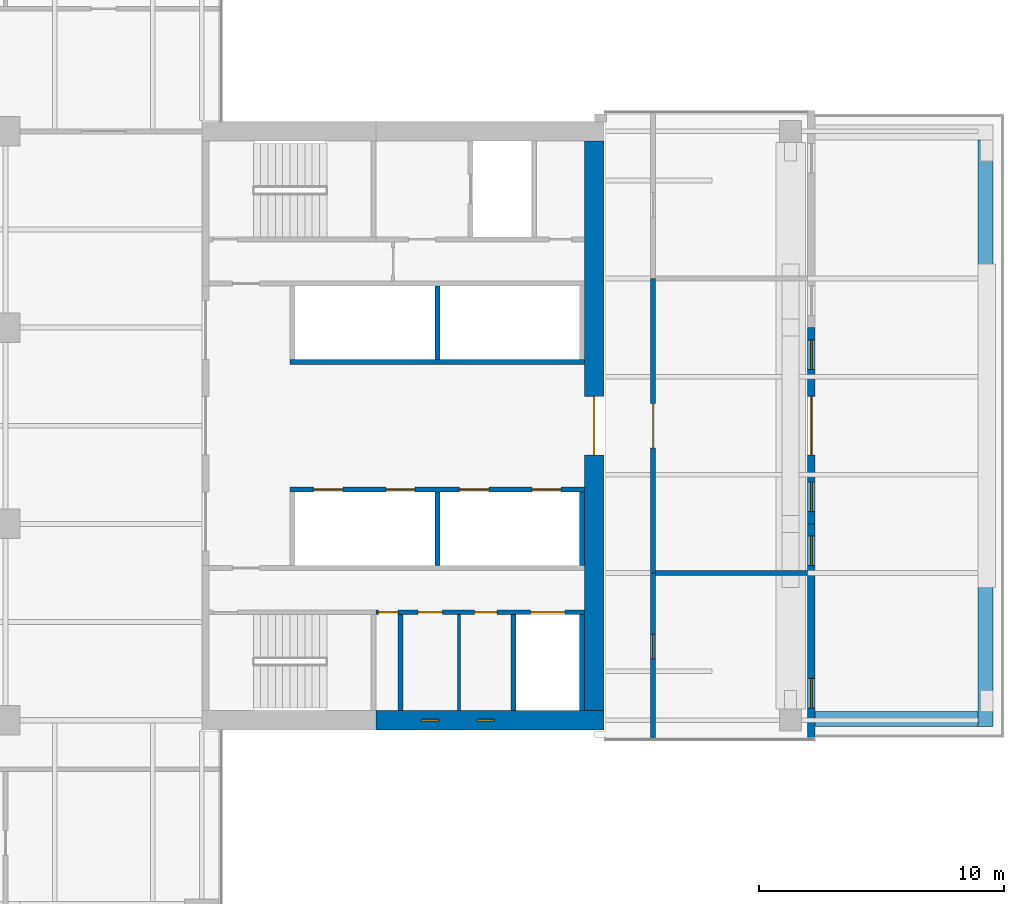
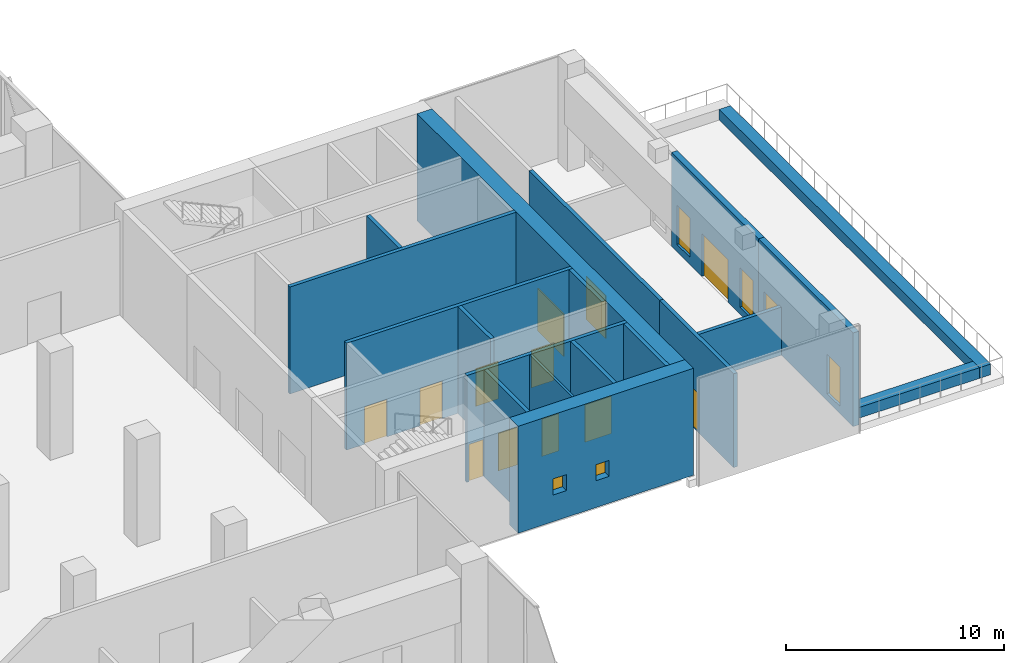
# One storey, part 17 of 23: 19 walls, 12 doors, 6 windows, 18 openings.
"""IFC4 building model written with IfcOpenShell, lengths in metres."""

from ifc_helpers import new_model, si_unit, direction, frame, frame_2d, origin, place, context, subcontext, project, spatial, rectangle, extrude, material, layer, layer_set, constituent, constituent_set, type_object, element, fill, save


model = new_model("IFC4")

# Units and contexts
model_context = context("Model", 3, precision=1e-05, world=origin(), true_north=direction((0.0, 1.0)))
body_context = subcontext(model_context, "Body", "Model", "MODEL_VIEW")
ifc_project = project(units=[si_unit("LENGTHUNIT", "METRE"), si_unit("AREAUNIT", "SQUARE_METRE"), si_unit("VOLUMEUNIT", "CUBIC_METRE"), si_unit("PLANEANGLEUNIT", "RADIAN"), si_unit("MASSUNIT", "GRAM", prefix="KILO")], contexts=[model_context])

# Site, building, storey
site_placement = place(None, origin())
site = spatial("IfcSite", under=ifc_project, at=site_placement, CompositionType="ELEMENT")
building_placement = place(site_placement, origin())
building = spatial("IfcBuilding", under=site, at=building_placement, Name="Crosswind Convention Tower", CompositionType="ELEMENT")
storey_placement = place(building_placement, frame((0.0, 0.0, 47.5)))
storey = spatial("IfcBuildingStorey", under=building, at=storey_placement, Name="L06", CompositionType="ELEMENT", Elevation=47.5)

# Walls
ifc_material_1 = material(Name="Concrete blockwork", Category="masonry")
ifc_layer_1 = layer(ifc_material_1, 0.199951171875)
ifc_layer_set_1 = layer_set([ifc_layer_1], Name="Blockwork partition wall 200")
wall_type_1 = type_object("IfcWallType", Name="Blockwork partition wall 200", PredefinedType="PARTITIONING", material=ifc_layer_set_1)
wall_1_placement = place(storey_placement, frame((145.10009765625, 88.39990234375, 0.0), z_axis=(0.0, 0.0, 1.0), x_axis=(0.0, 1.0, 0.0)))
element("IfcWall", 1, at=wall_1_placement, inside=storey, type_object=wall_type_1, Name="Wall MRSE E L06", PredefinedType="PARTITIONING", context=body_context, shape_type="SweptSolid", body=[
    extrude(rectangle(XDim=3.900146484375, YDim=0.199951171875, at=frame_2d((1.9501953125, 0.0))), origin(), (0.0, 0.0, 1.0), 6.0),
])
ifc_layer_2 = layer(ifc_material_1, 0.199951171875)
ifc_layer_set_2 = layer_set([ifc_layer_2], Name="COMPARTMENT WALL 200")
wall_type_2 = type_object("IfcWallType", Name="COMPARTMENT WALL 200", PredefinedType="SOLIDWALL", material=ifc_layer_set_2)
wall_2_placement = place(storey_placement, frame((155.5, 94.0, 0.0), z_axis=(0.0, 0.0, 1.0), x_axis=(1.0, 0.0, 0.0)))
element("IfcWall", 2, at=wall_2_placement, inside=storey, type_object=wall_type_2, Name="Compartment Wall 5", PredefinedType="SOLIDWALL", context=body_context, shape_type="SweptSolid", body=[
    extrude(rectangle(XDim=6.199951171875, YDim=0.199951171875, at=frame_2d((3.10009765625, 0.0))), origin(), (0.0, 0.0, 1.0), 2.699951171875),
])

# Wall, opening, door
wall_3_placement = place(storey_placement, frame((155.39990234375, 87.199951171875, 0.0), z_axis=(0.0, 0.0, 1.0), x_axis=(0.0, 1.0, 0.0)))
wall_3 = element("IfcWall", 3, at=wall_3_placement, inside=storey, type_object=wall_type_2, Name="Compartment Wall 27", PredefinedType="SOLIDWALL", context=body_context, shape_type="SweptSolid", body=[
    extrude(rectangle(XDim=6.800048828125, YDim=0.199951171875, at=frame_2d((3.39990234375, 0.0))), origin(), (0.0, 0.0, 1.0), 5.2626953125),
])
opening_1_placement = place(wall_3_placement, frame((3.300048828125, 0.0, 0.0)))
opening_1 = element("IfcOpeningElement", 4, at=opening_1_placement, cuts=wall_3, Name="Opening 06.017", PredefinedType="OPENING", context=body_context, shape_type="SweptSolid", body=[
    extrude(rectangle(XDim=1.0, YDim=2.199951171875, at=frame_2d((0.5, 1.10009765625))), frame((0.0, 0.10986328125, 0.0), z_axis=(0.0, -1.0, 0.0), x_axis=(1.0, 0.0, 0.0)), (0.0, 0.0, 1.0), 0.219970703125),
])
ifc_material_2 = material(Name="Steel fire door", Category="steel")
door_type_1 = type_object("IfcDoorType", Name="PLANT ROOM DOOR 1000X2200", OperationType="NOTDEFINED", PredefinedType="DOOR", material=ifc_material_2)
door_1_placement = place(opening_1_placement, frame((1.0, 0.0, 0.0), z_axis=(0.0, 0.0, 1.0), x_axis=(-1.0, 0.0, 0.0)))
door_1 = element("IfcDoor", 5, at=door_1_placement, inside=storey, type_object=door_type_1, Name="Door 06.017", ObjectType="D6", OperationType="SINGLE_SWING_LEFT", OverallHeight=2.199951171875, OverallWidth=1.0, PredefinedType="DOOR", context=body_context, shape_type="SweptSolid", body=[
    extrude(rectangle(XDim=1.0, YDim=2.199951171875, at=frame_2d((0.5, 1.10009765625))), frame((0.0, 0.02490234375, 0.0), z_axis=(0.0, -1.0, 0.0), x_axis=(1.0, 0.0, 0.0)), (0.0, 0.0, 1.0), 0.050048828125),
])
fill(opening_1, door_1)

ifc_material_3 = material(Name="Concrete C60/75", Category="concrete")
ifc_layer_3 = layer(ifc_material_3, 0.800048828125)
ifc_layer_set_3 = layer_set([ifc_layer_3], Name="Concrete C60/75")
wall_type_3 = type_object("IfcWallType", Name="Concrete core wall 800", PredefinedType="SHEAR", material=ifc_layer_set_3)
wall_4_placement = place(storey_placement, frame((153.0, 88.39990234375, 0.0), z_axis=(0.0, 0.0, 1.0), x_axis=(0.0, 1.0, 0.0)))
wall_4 = element("IfcWall", 6, at=wall_4_placement, inside=storey, type_object=wall_type_3, Name="Wall O E L06", PredefinedType="SHEAR", context=body_context, shape_type="SweptSolid", body=[
    extrude(rectangle(XDim=23.2001953125, YDim=0.800048828125, at=frame_2d((11.60009765625, 0.0))), origin(), (0.0, 0.0, 1.0), 6.0),
])
opening_2_placement = place(wall_4_placement, frame((10.39990234375, 0.0, 0.0)))
opening_2 = element("IfcOpeningElement", 7, at=opening_2_placement, cuts=wall_4, Name="Opening D100", PredefinedType="OPENING", context=body_context, shape_type="SweptSolid", body=[
    extrude(rectangle(XDim=2.39990234375, YDim=2.39990234375, at=frame_2d((1.199951171875, 1.199951171875))), frame((0.0, 0.409912109375, 0.0), z_axis=(0.0, -1.0, 0.0), x_axis=(1.0, 0.0, 0.0)), (0.0, 0.0, 1.0), 0.820068359375),
])
ifc_material_4 = material(Name="Steel fire door with glazed vision panels", Category="steel")
door_type_2 = type_object("IfcDoorType", Name="Fire-rated double door 2400x2400", OperationType="DOUBLE_DOOR_SINGLE_SWING", PredefinedType="DOOR", material=ifc_material_4)
door_2_placement = place(opening_2_placement, origin())
door_2 = element("IfcDoor", 8, at=door_2_placement, inside=storey, type_object=door_type_2, Name="Lobby outer door L06", ObjectType="D100", OperationType="DOUBLE_DOOR_SINGLE_SWING", OverallHeight=2.39990234375, OverallWidth=2.39990234375, PredefinedType="DOOR", context=body_context, shape_type="SweptSolid", body=[
    extrude(rectangle(XDim=2.39990234375, YDim=2.39990234375, at=frame_2d((1.199951171875, 1.199951171875))), frame((0.0, 0.02490234375, 0.0), z_axis=(0.0, -1.0, 0.0), x_axis=(1.0, 0.0, 0.0)), (0.0, 0.0, 1.0), 0.050048828125),
])
fill(opening_2, door_2)

# Walls
ifc_material_5 = material(Name="Concrete C50/60", Category="concrete")
ifc_layer_4 = layer(ifc_material_5, 0.199951171875)
ifc_layer_set_4 = layer_set([ifc_layer_4], Name="Concrete C50/60")
wall_type_4 = type_object("IfcWallType", Name="Concrete shaft and stair wall 200", PredefinedType="SHEAR", material=ifc_layer_set_4)
wall_5_placement = place(storey_placement, frame((146.60009765625, 102.699951171875, 0.0), z_axis=(0.0, 0.0, 1.0), x_axis=(0.0, 1.0, 0.0)))
element("IfcWall", 9, at=wall_5_placement, inside=storey, type_object=wall_type_4, Name="Wall RPSEP E L06", PredefinedType="SHEAR", context=body_context, shape_type="SweptSolid", body=[
    extrude(rectangle(XDim=3.0, YDim=0.199951171875, at=frame_2d((1.5, 0.0))), origin(), (0.0, 0.0, 1.0), 6.0),
])
wall_6_placement = place(storey_placement, frame((140.60009765625, 102.60009765625, 0.0), z_axis=(0.0, 0.0, 1.0), x_axis=(1.0, 0.0, 0.0)))
element("IfcWall", 10, at=wall_6_placement, inside=storey, type_object=wall_type_4, Name="Wall RPFRONT E L06", PredefinedType="SHEAR", context=body_context, shape_type="SweptSolid", body=[
    extrude(rectangle(XDim=12.0, YDim=0.199951171875, at=frame_2d((6.0, 0.0))), origin(), (0.0, 0.0, 1.0), 6.0),
])
for number, where, z_axis, x_axis, name in (
    (11, (146.60009765625, 94.300048828125, 0.0), (0.0, 0.0, 1.0), (0.0, 1.0, 0.0), "Wall RMSEP E L06"),
    (12, (152.5, 94.300048828125, 0.0), (0.0, 0.0, 1.0), (0.0, 1.0, 0.0), "Wall RMEAST E L06"),
):
    element("IfcWall", number, at=place(storey_placement, frame(where, z_axis=z_axis, x_axis=x_axis)), inside=storey, type_object=wall_type_4, Name=name, PredefinedType="SHEAR", context=body_context, shape_type="SweptSolid", body=[
        extrude(rectangle(XDim=3.0, YDim=0.199951171875, at=frame_2d((1.5, 0.0))), origin(), (0.0, 0.0, 1.0), 6.0),
    ])

# Wall, openings, doors
wall_7_placement = place(storey_placement, frame((140.60009765625, 97.39990234375, 0.0), z_axis=(0.0, 0.0, 1.0), x_axis=(1.0, 0.0, 0.0)))
wall_7 = element("IfcWall", 13, at=wall_7_placement, inside=storey, type_object=wall_type_4, Name="Wall RMFRONT E L06", PredefinedType="SHEAR", context=body_context, shape_type="SweptSolid", body=[
    extrude(rectangle(XDim=12.0, YDim=0.199951171875, at=frame_2d((6.0, 0.0))), origin(), (0.0, 0.0, 1.0), 6.0),
])
opening_3_placement = place(wall_7_placement, frame((0.949951171875, 0.0, 0.0)))
opening_3 = element("IfcOpeningElement", 14, at=opening_3_placement, cuts=wall_7, Name="Opening LD1", PredefinedType="OPENING", context=body_context, shape_type="SweptSolid", body=[
    extrude(rectangle(XDim=1.199951171875, YDim=2.10009765625, at=frame_2d((0.60009765625, 1.050048828125))), frame((0.0, 0.10986328125, 0.0), z_axis=(0.0, -1.0, 0.0), x_axis=(1.0, 0.0, 0.0)), (0.0, 0.0, 1.0), 0.219970703125),
])
opening_4_placement = place(wall_7_placement, frame((3.89990234375, 0.0, 0.0)))
opening_4 = element("IfcOpeningElement", 15, at=opening_4_placement, cuts=wall_7, Name="Opening LD1", PredefinedType="OPENING", context=body_context, shape_type="SweptSolid", body=[
    extrude(rectangle(XDim=1.199951171875, YDim=2.10009765625, at=frame_2d((0.60009765625, 1.050048828125))), frame((0.0, 0.10986328125, 0.0), z_axis=(0.0, -1.0, 0.0), x_axis=(1.0, 0.0, 0.0)), (0.0, 0.0, 1.0), 0.219970703125),
])
opening_5_placement = place(wall_7_placement, frame((6.89990234375, 0.0, 0.0)))
opening_5 = element("IfcOpeningElement", 16, at=opening_5_placement, cuts=wall_7, Name="Opening LD1", PredefinedType="OPENING", context=body_context, shape_type="SweptSolid", body=[
    extrude(rectangle(XDim=1.199951171875, YDim=2.10009765625, at=frame_2d((0.60009765625, 1.050048828125))), frame((0.0, 0.10986328125, 0.0), z_axis=(0.0, -1.0, 0.0), x_axis=(1.0, 0.0, 0.0)), (0.0, 0.0, 1.0), 0.219970703125),
])
opening_6_placement = place(wall_7_placement, frame((9.85009765625, 0.0, 0.0)))
opening_6 = element("IfcOpeningElement", 17, at=opening_6_placement, cuts=wall_7, Name="Opening LD1", PredefinedType="OPENING", context=body_context, shape_type="SweptSolid", body=[
    extrude(rectangle(XDim=1.199951171875, YDim=2.10009765625, at=frame_2d((0.60009765625, 1.050048828125))), frame((0.0, 0.10986328125, 0.0), z_axis=(0.0, -1.0, 0.0), x_axis=(1.0, 0.0, 0.0)), (0.0, 0.0, 1.0), 0.219970703125),
])
ifc_material_6 = material(Name="Stainless steel", Category="steel")
door_type_3 = type_object("IfcDoorType", Name="Lift landing door 1200x2100", OperationType="DOUBLE_DOOR_SLIDING", PredefinedType="DOOR", material=ifc_material_6)
door_3_placement = place(opening_3_placement, origin())
door_3 = element("IfcDoor", 18, at=door_3_placement, inside=storey, type_object=door_type_3, Name="Landing door H1 L06", ObjectType="LD1", OperationType="DOUBLE_DOOR_SLIDING", OverallHeight=2.10009765625, OverallWidth=1.199951171875, PredefinedType="DOOR", context=body_context, shape_type="SweptSolid", body=[
    extrude(rectangle(XDim=1.199951171875, YDim=2.10009765625, at=frame_2d((0.60009765625, 1.050048828125))), frame((0.0, 0.02490234375, 0.0), z_axis=(0.0, -1.0, 0.0), x_axis=(1.0, 0.0, 0.0)), (0.0, 0.0, 1.0), 0.050048828125),
])
fill(opening_3, door_3)
door_4_placement = place(opening_4_placement, origin())
door_4 = element("IfcDoor", 19, at=door_4_placement, inside=storey, type_object=door_type_3, Name="Landing door H2 L06", ObjectType="LD1", OperationType="DOUBLE_DOOR_SLIDING", OverallHeight=2.10009765625, OverallWidth=1.199951171875, PredefinedType="DOOR", context=body_context, shape_type="SweptSolid", body=[
    extrude(rectangle(XDim=1.199951171875, YDim=2.10009765625, at=frame_2d((0.60009765625, 1.050048828125))), frame((0.0, 0.02490234375, 0.0), z_axis=(0.0, -1.0, 0.0), x_axis=(1.0, 0.0, 0.0)), (0.0, 0.0, 1.0), 0.050048828125),
])
fill(opening_4, door_4)
door_5_placement = place(opening_5_placement, origin())
door_5 = element("IfcDoor", 20, at=door_5_placement, inside=storey, type_object=door_type_3, Name="Landing door H3 L06", ObjectType="LD1", OperationType="DOUBLE_DOOR_SLIDING", OverallHeight=2.10009765625, OverallWidth=1.199951171875, PredefinedType="DOOR", context=body_context, shape_type="SweptSolid", body=[
    extrude(rectangle(XDim=1.199951171875, YDim=2.10009765625, at=frame_2d((0.60009765625, 1.050048828125))), frame((0.0, 0.02490234375, 0.0), z_axis=(0.0, -1.0, 0.0), x_axis=(1.0, 0.0, 0.0)), (0.0, 0.0, 1.0), 0.050048828125),
])
fill(opening_5, door_5)
door_6_placement = place(opening_6_placement, origin())
door_6 = element("IfcDoor", 21, at=door_6_placement, inside=storey, type_object=door_type_3, Name="Landing door H4 L06", ObjectType="LD1", OperationType="DOUBLE_DOOR_SLIDING", OverallHeight=2.10009765625, OverallWidth=1.199951171875, PredefinedType="DOOR", context=body_context, shape_type="SweptSolid", body=[
    extrude(rectangle(XDim=1.199951171875, YDim=2.10009765625, at=frame_2d((0.60009765625, 1.050048828125))), frame((0.0, 0.02490234375, 0.0), z_axis=(0.0, -1.0, 0.0), x_axis=(1.0, 0.0, 0.0)), (0.0, 0.0, 1.0), 0.050048828125),
])
fill(opening_6, door_6)

# Walls
for number, where, z_axis, x_axis, name in (
    (22, (149.699951171875, 88.39990234375, 0.0), (0.0, 0.0, 1.0), (0.0, 1.0, 0.0), "Wall MFSW E L06"),
    (23, (152.5, 88.39990234375, 0.0), (0.0, 0.0, 1.0), (0.0, 1.0, 0.0), "Wall MFSE E L06"),
):
    element("IfcWall", number, at=place(storey_placement, frame(where, z_axis=z_axis, x_axis=x_axis)), inside=storey, type_object=wall_type_4, Name=name, PredefinedType="SHEAR", context=body_context, shape_type="SweptSolid", body=[
        extrude(rectangle(XDim=3.900146484375, YDim=0.199951171875, at=frame_2d((1.9501953125, 0.0))), origin(), (0.0, 0.0, 1.0), 6.0),
    ])

# Wall, openings, doors
wall_8_placement = place(storey_placement, frame((144.10009765625, 92.39990234375, 0.0), z_axis=(0.0, 0.0, 1.0), x_axis=(1.0, 0.0, 0.0)))
wall_8 = element("IfcWall", 24, at=wall_8_placement, inside=storey, type_object=wall_type_4, Name="Wall MCX E L06", PredefinedType="SHEAR", context=body_context, shape_type="SweptSolid", body=[
    extrude(rectangle(XDim=8.5, YDim=0.199951171875, at=frame_2d((4.25, 0.0))), origin(), (0.0, 0.0, 1.0), 6.0),
])
opening_7_placement = place(wall_8_placement, frame((0.10009765625, 0.0, 0.0)))
opening_7 = element("IfcOpeningElement", 25, at=opening_7_placement, cuts=wall_8, Name="Opening D105", PredefinedType="OPENING", context=body_context, shape_type="SweptSolid", body=[
    extrude(rectangle(XDim=0.800048828125, YDim=2.10009765625, at=frame_2d((0.39990234375, 1.050048828125))), frame((0.0, 0.10986328125, 0.0), z_axis=(0.0, -1.0, 0.0), x_axis=(1.0, 0.0, 0.0)), (0.0, 0.0, 1.0), 0.219970703125),
])
opening_8_placement = place(wall_8_placement, frame((1.712646484375, 0.0, 0.0)))
opening_8 = element("IfcOpeningElement", 26, at=opening_8_placement, cuts=wall_8, Name="Opening D103", PredefinedType="OPENING", context=body_context, shape_type="SweptSolid", body=[
    extrude(rectangle(XDim=1.0, YDim=2.10009765625, at=frame_2d((0.5, 1.050048828125))), frame((0.0, 0.10986328125, 0.0), z_axis=(0.0, -1.0, 0.0), x_axis=(1.0, 0.0, 0.0)), (0.0, 0.0, 1.0), 0.219970703125),
])
opening_9_placement = place(wall_8_placement, frame((4.025146484375, 0.0, 0.0)))
opening_9 = element("IfcOpeningElement", 27, at=opening_9_placement, cuts=wall_8, Name="Opening D106", PredefinedType="OPENING", context=body_context, shape_type="SweptSolid", body=[
    extrude(rectangle(XDim=0.89990234375, YDim=2.10009765625, at=frame_2d((0.449951171875, 1.050048828125))), frame((0.0, 0.10986328125, 0.0), z_axis=(0.0, -1.0, 0.0), x_axis=(1.0, 0.0, 0.0)), (0.0, 0.0, 1.0), 0.219970703125),
])
opening_10_placement = place(wall_8_placement, frame((6.300048828125, 0.0, 0.0)))
opening_10 = element("IfcOpeningElement", 28, at=opening_10_placement, cuts=wall_8, Name="Opening LD2", PredefinedType="OPENING", context=body_context, shape_type="SweptSolid", body=[
    extrude(rectangle(XDim=1.39990234375, YDim=2.10009765625, at=frame_2d((0.699951171875, 1.050048828125))), frame((0.0, 0.10986328125, 0.0), z_axis=(0.0, -1.0, 0.0), x_axis=(1.0, 0.0, 0.0)), (0.0, 0.0, 1.0), 0.219970703125),
])
door_type_4 = type_object("IfcDoorType", Name="Fire-rated single door 1000x2100", OperationType="NOTDEFINED", PredefinedType="DOOR", material=ifc_material_2)
door_7_placement = place(opening_8_placement, frame((1.0, 0.0, 0.0), z_axis=(0.0, 0.0, 1.0), x_axis=(-1.0, 0.0, 0.0)))
door_7 = element("IfcDoor", 29, at=door_7_placement, inside=storey, type_object=door_type_4, Name="Door to accessible wc L06", ObjectType="D103", OperationType="SINGLE_SWING_LEFT", OverallHeight=2.10009765625, OverallWidth=1.0, PredefinedType="DOOR", context=body_context, shape_type="SweptSolid", body=[
    extrude(rectangle(XDim=1.0, YDim=2.10009765625, at=frame_2d((0.5, 1.050048828125))), frame((0.0, 0.02490234375, 0.0), z_axis=(0.0, -1.0, 0.0), x_axis=(1.0, 0.0, 0.0)), (0.0, 0.0, 1.0), 0.050048828125),
])
fill(opening_8, door_7)
door_type_5 = type_object("IfcDoorType", Name="Lift landing door 1400x2100", OperationType="DOUBLE_DOOR_SLIDING", PredefinedType="DOOR", material=ifc_material_6)
door_8_placement = place(opening_10_placement, origin())
door_8 = element("IfcDoor", 30, at=door_8_placement, inside=storey, type_object=door_type_5, Name="Landing door SV1 L06", ObjectType="LD2", OperationType="DOUBLE_DOOR_SLIDING", OverallHeight=2.10009765625, OverallWidth=1.39990234375, PredefinedType="DOOR", context=body_context, shape_type="SweptSolid", body=[
    extrude(rectangle(XDim=1.39990234375, YDim=2.10009765625, at=frame_2d((0.699951171875, 1.050048828125))), frame((0.0, 0.02490234375, 0.0), z_axis=(0.0, -1.0, 0.0), x_axis=(1.0, 0.0, 0.0)), (0.0, 0.0, 1.0), 0.050048828125),
])
fill(opening_10, door_8)
door_type_6 = type_object("IfcDoorType", Name="Riser access door 800x2100", OperationType="NOTDEFINED", PredefinedType="DOOR", material=ifc_material_2)
door_9_placement = place(opening_7_placement, frame((0.800048828125, 0.0, 0.0), z_axis=(0.0, 0.0, 1.0), x_axis=(-1.0, 0.0, 0.0)))
door_9 = element("IfcDoor", 31, at=door_9_placement, inside=storey, type_object=door_type_6, Name="Riser door L06", ObjectType="D105", OperationType="SINGLE_SWING_LEFT", OverallHeight=2.10009765625, OverallWidth=0.800048828125, PredefinedType="DOOR", context=body_context, shape_type="SweptSolid", body=[
    extrude(rectangle(XDim=0.800048828125, YDim=2.10009765625, at=frame_2d((0.39990234375, 1.050048828125))), frame((0.0, 0.02490234375, 0.0), z_axis=(0.0, -1.0, 0.0), x_axis=(1.0, 0.0, 0.0)), (0.0, 0.0, 1.0), 0.050048828125),
])
fill(opening_7, door_9)
ifc_material_7 = material(Name="Timber door", Category="wood")
door_type_7 = type_object("IfcDoorType", Name="Single leaf door 900x2100", OperationType="NOTDEFINED", PredefinedType="DOOR", material=ifc_material_7)
door_10_placement = place(opening_9_placement, frame((0.89990234375, 0.0, 0.0), z_axis=(0.0, 0.0, 1.0), x_axis=(-1.0, 0.0, 0.0)))
door_10 = element("IfcDoor", 32, at=door_10_placement, inside=storey, type_object=door_type_7, Name="Door to wc L06", ObjectType="D106", OperationType="SINGLE_SWING_LEFT", OverallHeight=2.10009765625, OverallWidth=0.89990234375, PredefinedType="DOOR", context=body_context, shape_type="SweptSolid", body=[
    extrude(rectangle(XDim=0.89990234375, YDim=2.10009765625, at=frame_2d((0.449951171875, 1.050048828125))), frame((0.0, 0.02490234375, 0.0), z_axis=(0.0, -1.0, 0.0), x_axis=(1.0, 0.0, 0.0)), (0.0, 0.0, 1.0), 0.050048828125),
])
fill(opening_9, door_10)

# Wall
ifc_material_8 = material(Name="Gypsum plasterboard partition", Category="gypsum")
ifc_layer_5 = layer(ifc_material_8, 0.125)
ifc_layer_set_5 = layer_set([ifc_layer_5], Name="Drywall partition wall 125")
wall_type_5 = type_object("IfcWallType", Name="Drywall partition wall 125", PredefinedType="PARTITIONING", material=ifc_layer_set_5)
wall_9_placement = place(storey_placement, frame((147.488037109375, 88.39990234375, 0.0), z_axis=(0.0, 0.0, 1.0), x_axis=(0.0, 1.0, 0.0)))
element("IfcWall", 33, at=wall_9_placement, inside=storey, type_object=wall_type_5, Name="Wall MWP1 E L06", PredefinedType="PARTITIONING", context=body_context, shape_type="SweptSolid", body=[
    extrude(rectangle(XDim=3.900146484375, YDim=0.125, at=frame_2d((1.9501953125, 0.0))), origin(), (0.0, 0.0, 1.0), 6.0),
])

# Wall, opening, door
ifc_material_9 = material(Name="Double plasterboard partition", Category="gypsum")
ifc_layer_6 = layer(ifc_material_9, 0.199951171875)
ifc_layer_set_6 = layer_set([ifc_layer_6], Name="HALL WALL 200")
wall_type_6 = type_object("IfcWallType", Name="HALL WALL 200", PredefinedType="PARTITIONING", material=ifc_layer_set_6)
wall_10_placement = place(storey_placement, frame((155.39990234375, 94.0, 0.0), z_axis=(0.0, 0.0, 1.0), x_axis=(0.0, 1.0, 0.0)))
wall_10 = element("IfcWall", 34, at=wall_10_placement, inside=storey, type_object=wall_type_6, Name="Hall Wall 28", PredefinedType="PARTITIONING", context=body_context, shape_type="SweptSolid", body=[
    extrude(rectangle(XDim=12.0, YDim=0.199951171875, at=frame_2d((6.0, 0.0))), origin(), (0.0, 0.0, 1.0), 5.25634765625),
])
opening_11_placement = place(wall_10_placement, frame((5.10009765625, 0.0, 0.0)))
opening_11 = element("IfcOpeningElement", 35, at=opening_11_placement, cuts=wall_10, Name="Opening 06.015", PredefinedType="OPENING", context=body_context, shape_type="SweptSolid", body=[
    extrude(rectangle(XDim=1.800048828125, YDim=2.39990234375, at=frame_2d((0.89990234375, 1.199951171875))), frame((0.0, 0.10986328125, 0.0), z_axis=(0.0, -1.0, 0.0), x_axis=(1.0, 0.0, 0.0)), (0.0, 0.0, 1.0), 0.219970703125),
])
ifc_material_10 = material(Name="Timber fire door", Category="wood")
door_type_8 = type_object("IfcDoorType", Name="HALL DOUBLE DOOR 1800X2400", OperationType="DOUBLE_DOOR_SINGLE_SWING", PredefinedType="DOOR", material=ifc_material_10)
door_11_placement = place(opening_11_placement, origin())
door_11 = element("IfcDoor", 36, at=door_11_placement, inside=storey, type_object=door_type_8, Name="Door 06.015", ObjectType="D5", OperationType="DOUBLE_DOOR_SINGLE_SWING", OverallHeight=2.39990234375, OverallWidth=1.800048828125, PredefinedType="DOOR", context=body_context, shape_type="SweptSolid", body=[
    extrude(rectangle(XDim=1.800048828125, YDim=2.39990234375, at=frame_2d((0.89990234375, 1.199951171875))), frame((0.0, 0.02490234375, 0.0), z_axis=(0.0, -1.0, 0.0), x_axis=(1.0, 0.0, 0.0)), (0.0, 0.0, 1.0), 0.050048828125),
])
fill(opening_11, door_11)

# Walls
ifc_material_11 = material(Name="Concrete C30/37", Category="concrete")
ifc_layer_7 = layer(ifc_material_11, 0.60009765625)
ifc_layer_set_7 = layer_set([ifc_layer_7], Name="Concrete C30/37")
wall_type_7 = type_object("IfcWallType", Name="PLANTER BOX WALL 600", PredefinedType="SOLIDWALL", material=ifc_layer_set_7)
wall_11_placement = place(storey_placement, frame((168.949951171875, 111.64990234375, 0.0), z_axis=(0.0, 0.0, 1.0), x_axis=(0.0, -1.0, 0.0)))
element("IfcWall", 37, at=wall_11_placement, inside=storey, type_object=wall_type_7, Name="PLANTER L06 E 2", PredefinedType="SOLIDWALL", context=body_context, shape_type="SweptSolid", body=[
    extrude(rectangle(XDim=23.89990234375, YDim=0.60009765625, at=frame_2d((11.949951171875, 0.0))), origin(), (0.0, 0.0, 1.0), 0.60009765625),
])
wall_12_placement = place(storey_placement, frame((168.64990234375, 88.050048828125, 0.0), z_axis=(0.0, 0.0, 1.0), x_axis=(-1.0, 0.0, 0.0)))
element("IfcWall", 38, at=wall_12_placement, inside=storey, type_object=wall_type_7, Name="PLANTER L06 E 3", PredefinedType="SOLIDWALL", context=body_context, shape_type="SweptSolid", body=[
    extrude(rectangle(XDim=6.64990234375, YDim=0.60009765625, at=frame_2d((3.324951171875, 0.0))), origin(), (0.0, 0.0, 1.0), 0.60009765625),
])

# Wall, openings, windows
ifc_material_12 = material(Name="Terracotta rainscreen", Category="ceramic")
ifc_layer_8 = layer(ifc_material_12, 0.02001953125)
ifc_material_13 = material(Name="Mineral wool insulation", Category="insulation")
ifc_layer_9 = layer(ifc_material_13, 0.10009765625)
ifc_layer_10 = layer(ifc_material_1, 0.179931640625)
ifc_layer_set_8 = layer_set([ifc_layer_8, ifc_layer_9, ifc_layer_10], Name="TERRACOTTA INFILL WALL 300")
wall_type_8 = type_object("IfcWallType", Name="TERRACOTTA INFILL WALL 300", PredefinedType="SOLIDWALL", material=ifc_layer_set_8)
wall_13_placement = place(storey_placement, frame((161.85009765625, 87.300048828125, 0.0), z_axis=(0.0, 0.0, 1.0), x_axis=(0.0, 1.0, 0.0)))
wall_13 = element("IfcWall", 39, at=wall_13_placement, inside=storey, type_object=wall_type_8, Name="Terrace front wall L06 E-TIP.1-1", PredefinedType="SOLIDWALL", context=body_context, shape_type="SweptSolid", body=[
    extrude(rectangle(XDim=8.699951171875, YDim=0.300048828125, at=frame_2d((4.35009765625, 0.0))), origin(), (0.0, 0.0, 1.0), 5.25634765625),
])
opening_12_placement = place(wall_13_placement, frame((1.199951171875, 0.0, 0.39990234375)))
opening_12 = element("IfcOpeningElement", 40, at=opening_12_placement, cuts=wall_13, Name="Opening W10", PredefinedType="OPENING", context=body_context, shape_type="SweptSolid", body=[
    extrude(rectangle(XDim=1.199951171875, YDim=2.199951171875, at=frame_2d((0.60009765625, 1.10009765625))), frame((0.0, 0.159912109375, 0.0), z_axis=(0.0, -1.0, 0.0), x_axis=(1.0, 0.0, 0.0)), (0.0, 0.0, 1.0), 0.320068359375),
])
opening_13_placement = place(wall_13_placement, frame((7.0, 0.0, 0.39990234375)))
opening_13 = element("IfcOpeningElement", 41, at=opening_13_placement, cuts=wall_13, Name="Opening W10", PredefinedType="OPENING", context=body_context, shape_type="SweptSolid", body=[
    extrude(rectangle(XDim=1.199951171875, YDim=2.199951171875, at=frame_2d((0.60009765625, 1.10009765625))), frame((0.0, 0.159912109375, 0.0), z_axis=(0.0, -1.0, 0.0), x_axis=(1.0, 0.0, 0.0)), (0.0, 0.0, 1.0), 0.320068359375),
])
ifc_material_14 = material(Name="Aluminium window", Category="aluminium")
window_type_1 = type_object("IfcWindowType", Name="TERRACE FRONT WINDOW 1200X2200", PartitioningType="SINGLE_PANEL", PredefinedType="WINDOW", material=ifc_material_14)
window_1_placement = place(opening_12_placement, origin())
window_1 = element("IfcWindow", 42, at=window_1_placement, inside=storey, type_object=window_type_1, Name="W10 terrace window L06 E-TIP.1-1.1", ObjectType="W10", OverallHeight=2.199951171875, OverallWidth=1.199951171875, PartitioningType="SINGLE_PANEL", PredefinedType="WINDOW", context=body_context, shape_type="SweptSolid", body=[
    extrude(rectangle(XDim=1.199951171875, YDim=2.199951171875, at=frame_2d((0.60009765625, 1.10009765625))), frame((0.0, 0.030029296875, 0.0), z_axis=(0.0, -1.0, 0.0), x_axis=(1.0, 0.0, 0.0)), (0.0, 0.0, 1.0), 0.06005859375),
])
fill(opening_12, window_1)
window_2_placement = place(opening_13_placement, origin())
window_2 = element("IfcWindow", 43, at=window_2_placement, inside=storey, type_object=window_type_1, Name="W10 terrace window L06 E-TIP.1-1.2", ObjectType="W10", OverallHeight=2.199951171875, OverallWidth=1.199951171875, PartitioningType="SINGLE_PANEL", PredefinedType="WINDOW", context=body_context, shape_type="SweptSolid", body=[
    extrude(rectangle(XDim=1.199951171875, YDim=2.199951171875, at=frame_2d((0.60009765625, 1.10009765625))), frame((0.0, 0.030029296875, 0.0), z_axis=(0.0, -1.0, 0.0), x_axis=(1.0, 0.0, 0.0)), (0.0, 0.0, 1.0), 0.06005859375),
])
fill(opening_13, window_2)

# Wall, openings, door, windows
wall_14_placement = place(storey_placement, frame((161.85009765625, 96.0, 0.0), z_axis=(0.0, 0.0, 1.0), x_axis=(0.0, 1.0, 0.0)))
wall_14 = element("IfcWall", 44, at=wall_14_placement, inside=storey, type_object=wall_type_8, Name="Terrace front wall L06 E-TIP.1-2", PredefinedType="SOLIDWALL", context=body_context, shape_type="SweptSolid", body=[
    extrude(rectangle(XDim=8.0, YDim=0.300048828125, at=frame_2d((4.0, 0.0))), origin(), (0.0, 0.0, 1.0), 5.25634765625),
])
opening_14_placement = place(wall_14_placement, frame((2.800048828125, 0.0, 0.0)))
opening_14 = element("IfcOpeningElement", 45, at=opening_14_placement, cuts=wall_14, Name="Opening D140", PredefinedType="OPENING", context=body_context, shape_type="SweptSolid", body=[
    extrude(rectangle(XDim=2.39990234375, YDim=2.39990234375, at=frame_2d((1.199951171875, 1.199951171875))), frame((0.0, 0.159912109375, 0.0), z_axis=(0.0, -1.0, 0.0), x_axis=(1.0, 0.0, 0.0)), (0.0, 0.0, 1.0), 0.320068359375),
])
opening_15_placement = place(wall_14_placement, frame((0.5, 0.0, 0.39990234375)))
opening_15 = element("IfcOpeningElement", 46, at=opening_15_placement, cuts=wall_14, Name="Opening W10", PredefinedType="OPENING", context=body_context, shape_type="SweptSolid", body=[
    extrude(rectangle(XDim=1.199951171875, YDim=2.199951171875, at=frame_2d((0.60009765625, 1.10009765625))), frame((0.0, 0.159912109375, 0.0), z_axis=(0.0, -1.0, 0.0), x_axis=(1.0, 0.0, 0.0)), (0.0, 0.0, 1.0), 0.320068359375),
])
opening_16_placement = place(wall_14_placement, frame((6.300048828125, 0.0, 0.39990234375)))
opening_16 = element("IfcOpeningElement", 47, at=opening_16_placement, cuts=wall_14, Name="Opening W10", PredefinedType="OPENING", context=body_context, shape_type="SweptSolid", body=[
    extrude(rectangle(XDim=1.199951171875, YDim=2.199951171875, at=frame_2d((0.60009765625, 1.10009765625))), frame((0.0, 0.159912109375, 0.0), z_axis=(0.0, -1.0, 0.0), x_axis=(1.0, 0.0, 0.0)), (0.0, 0.0, 1.0), 0.320068359375),
])
ifc_material_15 = material(Name="Aluminium glazed door", Category="aluminium")
door_type_9 = type_object("IfcDoorType", Name="GLAZED DOUBLE DOOR 2400X2400", OperationType="DOUBLE_DOOR_SINGLE_SWING", PredefinedType="DOOR", material=ifc_material_15)
door_12_placement = place(opening_14_placement, frame((2.39990234375, 0.0, 0.0), z_axis=(0.0, 0.0, 1.0), x_axis=(-1.0, 0.0, 0.0)))
door_12 = element("IfcDoor", 48, at=door_12_placement, inside=storey, type_object=door_type_9, Name="D140 terrace door L06 E-TIP.1-2", ObjectType="D140", OperationType="DOUBLE_DOOR_SINGLE_SWING", OverallHeight=2.39990234375, OverallWidth=2.39990234375, PredefinedType="DOOR", context=body_context, shape_type="SweptSolid", body=[
    extrude(rectangle(XDim=2.39990234375, YDim=2.39990234375, at=frame_2d((1.199951171875, 1.199951171875))), frame((0.0, 0.02490234375, 0.0), z_axis=(0.0, -1.0, 0.0), x_axis=(1.0, 0.0, 0.0)), (0.0, 0.0, 1.0), 0.050048828125),
])
fill(opening_14, door_12)
window_3_placement = place(opening_15_placement, origin())
window_3 = element("IfcWindow", 49, at=window_3_placement, inside=storey, type_object=window_type_1, Name="W10 terrace window L06 E-TIP.1-2.1", ObjectType="W10", OverallHeight=2.199951171875, OverallWidth=1.199951171875, PartitioningType="SINGLE_PANEL", PredefinedType="WINDOW", context=body_context, shape_type="SweptSolid", body=[
    extrude(rectangle(XDim=1.199951171875, YDim=2.199951171875, at=frame_2d((0.60009765625, 1.10009765625))), frame((0.0, 0.030029296875, 0.0), z_axis=(0.0, -1.0, 0.0), x_axis=(1.0, 0.0, 0.0)), (0.0, 0.0, 1.0), 0.06005859375),
])
fill(opening_15, window_3)
window_4_placement = place(opening_16_placement, origin())
window_4 = element("IfcWindow", 50, at=window_4_placement, inside=storey, type_object=window_type_1, Name="W10 terrace window L06 E-TIP.1-2.2", ObjectType="W10", OverallHeight=2.199951171875, OverallWidth=1.199951171875, PartitioningType="SINGLE_PANEL", PredefinedType="WINDOW", context=body_context, shape_type="SweptSolid", body=[
    extrude(rectangle(XDim=1.199951171875, YDim=2.199951171875, at=frame_2d((0.60009765625, 1.10009765625))), frame((0.0, 0.030029296875, 0.0), z_axis=(0.0, -1.0, 0.0), x_axis=(1.0, 0.0, 0.0)), (0.0, 0.0, 1.0), 0.06005859375),
])
fill(opening_16, window_4)

# Wall, openings, windows
ifc_constituent_1 = constituent(ifc_material_3, Name="Structure")
ifc_constituent_2 = constituent(ifc_material_12, Name="Facing")
ifc_constituent_set = constituent_set(constituents=[ifc_constituent_1, ifc_constituent_2], Name="Concrete C60/75, Terracotta rainscreen")
wall_type_9 = type_object("IfcWallType", Name="Terracotta rainscreen on concrete core wall 800", PredefinedType="SHEAR", material=ifc_constituent_set)
wall_15_placement = place(storey_placement, frame((144.10009765625, 88.0, 0.0), z_axis=(0.0, 0.0, 1.0), x_axis=(1.0, 0.0, 0.0)))
wall_15 = element("IfcWall", 51, at=wall_15_placement, inside=storey, type_object=wall_type_9, Name="Wall S2 E L06", PredefinedType="SHEAR", context=body_context, shape_type="SweptSolid", body=[
    extrude(rectangle(XDim=9.2998046875, YDim=0.800048828125, at=frame_2d((4.64990234375, 0.0))), origin(), (0.0, 0.0, 1.0), 6.0),
])
opening_17_placement = place(wall_15_placement, frame((1.86279296875, 0.0, 1.5)))
opening_17 = element("IfcOpeningElement", 52, at=opening_17_placement, cuts=wall_15, Name="Opening W2", PredefinedType="OPENING", context=body_context, shape_type="SweptSolid", body=[
    extrude(rectangle(XDim=0.699951171875, YDim=0.89990234375, at=frame_2d((0.35009765625, 0.449951171875))), frame((0.0, 0.409912109375, 0.0), z_axis=(0.0, -1.0, 0.0), x_axis=(1.0, 0.0, 0.0)), (0.0, 0.0, 1.0), 0.820068359375),
])
opening_18_placement = place(wall_15_placement, frame((4.125244140625, 0.0, 1.5)))
opening_18 = element("IfcOpeningElement", 53, at=opening_18_placement, cuts=wall_15, Name="Opening W2", PredefinedType="OPENING", context=body_context, shape_type="SweptSolid", body=[
    extrude(rectangle(XDim=0.699951171875, YDim=0.89990234375, at=frame_2d((0.35009765625, 0.449951171875))), frame((0.0, 0.409912109375, 0.0), z_axis=(0.0, -1.0, 0.0), x_axis=(1.0, 0.0, 0.0)), (0.0, 0.0, 1.0), 0.820068359375),
])
ifc_material_16 = material(Name="Obscure glass in aluminium frame", Category="aluminium")
window_type_2 = type_object("IfcWindowType", Name="WC window 700x900", PartitioningType="SINGLE_PANEL", PredefinedType="WINDOW", material=ifc_material_16)
window_5_placement = place(opening_17_placement, origin())
window_5 = element("IfcWindow", 54, at=window_5_placement, inside=storey, type_object=window_type_2, Name="WC window L06", ObjectType="W2", OverallHeight=0.89990234375, OverallWidth=0.699951171875, PartitioningType="SINGLE_PANEL", PredefinedType="WINDOW", context=body_context, shape_type="SweptSolid", body=[
    extrude(rectangle(XDim=0.699951171875, YDim=0.89990234375, at=frame_2d((0.35009765625, 0.449951171875))), frame((0.0, 0.030029296875, 0.0), z_axis=(0.0, -1.0, 0.0), x_axis=(1.0, 0.0, 0.0)), (0.0, 0.0, 1.0), 0.06005859375),
])
fill(opening_17, window_5)
window_6_placement = place(opening_18_placement, origin())
window_6 = element("IfcWindow", 55, at=window_6_placement, inside=storey, type_object=window_type_2, Name="WC window L06", ObjectType="W2", OverallHeight=0.89990234375, OverallWidth=0.699951171875, PartitioningType="SINGLE_PANEL", PredefinedType="WINDOW", context=body_context, shape_type="SweptSolid", body=[
    extrude(rectangle(XDim=0.699951171875, YDim=0.89990234375, at=frame_2d((0.35009765625, 0.449951171875))), frame((0.0, 0.030029296875, 0.0), z_axis=(0.0, -1.0, 0.0), x_axis=(1.0, 0.0, 0.0)), (0.0, 0.0, 1.0), 0.06005859375),
])
fill(opening_18, window_6)

save(model, "model.ifc")
